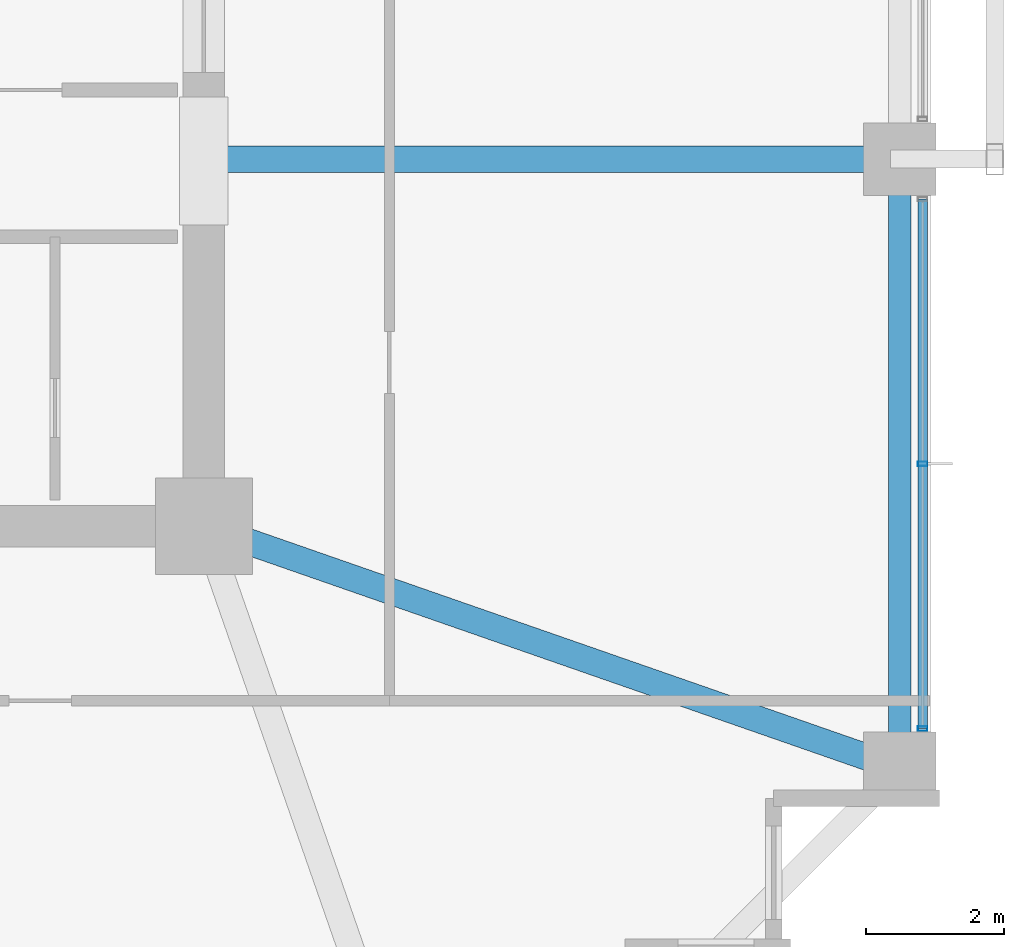
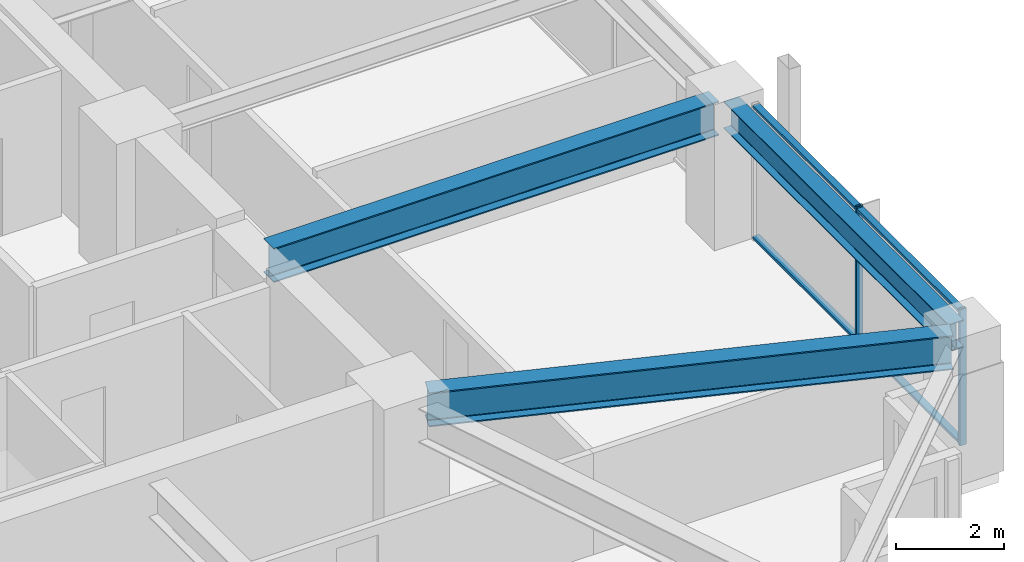
# One storey, part 14 of 38: 4 members, 3 beams, 1 element without a shape of its own.
"""IFC4 building model written with IfcOpenShell, lengths in metres."""

import ifcopenshell
import ifcopenshell.guid

model = None  # the IFC model being written
_history = None  # IfcOwnerHistory: only IFC2X3 demands one
_inside = {}  # id of a spatial element -> (the spatial element, [elements in it])
_under = {}  # id of a project, library or spatial element -> (it, [spatial elements below it])
_declared = {}  # id of a project -> (the project, [libraries it declares])
_typed = {}  # id of a type object -> (the type object, [elements of that type])
_made_of = {}  # id of a material, layer set ... -> (it, [elements and type objects made of it])


def new_model(schema):
    """Start an empty IFC model of exactly this schema.

    Asked for "IFC4X3", IfcOpenShell would pick the latest addendum, in which some entities
    have other attributes; the version numbers below select the first issue.
    IFC2X3 requires an IfcOwnerHistory on every rooted entity: one is made here for all.
    """
    global model, _history
    if schema == "IFC4X3":
        model = ifcopenshell.file(schema_version=(4, 3, 0, 0))
    else:
        model = ifcopenshell.file(schema=schema)
    _inside.clear()
    _under.clear()
    _declared.clear()
    _typed.clear()
    _made_of.clear()
    _history = None
    if model.schema == "IFC2X3":
        org = make("IfcOrganization", Name="unknown")
        user = make(
            "IfcPersonAndOrganization",
            ThePerson=make("IfcPerson", FamilyName="unknown"),
            TheOrganization=org,
        )
        app = make(
            "IfcApplication",
            ApplicationDeveloper=org,
            Version="unknown",
            ApplicationFullName="unknown",
            ApplicationIdentifier="unknown",
        )
        _history = make(
            "IfcOwnerHistory",
            OwningUser=user,
            OwningApplication=app,
            ChangeAction="ADDED",
            CreationDate=0,
        )
    return model


def make(cls, **values):
    """One entity of the class cls with the attributes given. An attribute that is None is left unset."""
    return model.create_entity(
        cls, **{name: value for name, value in values.items() if value is not None}
    )


def rooted(cls, **values):
    """An entity with a GlobalId (a new one), such as an element, a storey or a relation."""
    return make(cls, GlobalId=ifcopenshell.guid.new(), OwnerHistory=_history, **values)


def si_unit(unit_type, name, prefix=None):
    """IfcSIUnit, for example si_unit("LENGTHUNIT", "METRE", prefix="MILLI")."""
    return make("IfcSIUnit", UnitType=unit_type, Prefix=prefix, Name=name)


def assignment(units):
    """IfcUnitAssignment: the units of a project."""
    return None if units is None else make("IfcUnitAssignment", Units=units)


def point(xyz):
    """IfcCartesianPoint."""
    return None if xyz is None else make("IfcCartesianPoint", Coordinates=xyz)


def direction(xyz):
    """IfcDirection."""
    return None if xyz is None else make("IfcDirection", DirectionRatios=xyz)


def frame(location, z_axis=None, x_axis=None):
    """IfcAxis2Placement3D, a coordinate frame: its origin and axes. An axis left out is left unset."""
    return make(
        "IfcAxis2Placement3D",
        Location=point(location),
        Axis=direction(z_axis),
        RefDirection=direction(x_axis),
    )


def frame_2d(location, x_axis=None):
    """IfcAxis2Placement2D, a coordinate frame in the plane: its origin and x axis."""
    return make(
        "IfcAxis2Placement2D", Location=point(location), RefDirection=direction(x_axis)
    )


def origin():
    """The frame at (0, 0, 0) with its axes left unset."""
    return frame((0.0, 0.0, 0.0))


def origin_2d():
    """The frame at (0, 0) in the plane with its x axis left unset."""
    return frame_2d((0.0, 0.0))


def place(relative_to, where):
    """IfcLocalPlacement: puts the frame where relative to a parent placement (None: the world)."""
    return make(
        "IfcLocalPlacement", PlacementRelTo=relative_to, RelativePlacement=where
    )


def context(
    kind, dimensions, precision=None, world=None, true_north=None, identifier=None
):
    """IfcGeometricRepresentationContext, for example the 3D "Model" context."""
    return make(
        "IfcGeometricRepresentationContext",
        ContextIdentifier=identifier,
        ContextType=kind,
        CoordinateSpaceDimension=dimensions,
        Precision=precision,
        WorldCoordinateSystem=world,
        TrueNorth=true_north,
    )


def subcontext(parent, identifier, kind, view, scale=None):
    """IfcGeometricRepresentationSubContext, for example "Body" below "Model"."""
    return make(
        "IfcGeometricRepresentationSubContext",
        ContextIdentifier=identifier,
        ContextType=kind,
        ParentContext=parent,
        TargetScale=scale,
        TargetView=view,
    )


def project(units=None, contexts=None):
    """IfcProject with its units and contexts."""
    return rooted(
        "IfcProject",
        Name="project",
        RepresentationContexts=contexts,
        UnitsInContext=assignment(units),
    )


def spatial(cls, under=None, at=None, **own):
    """A site, building, storey or space (cls), placed at a placement, below another one or the project."""
    s = rooted(cls, ObjectPlacement=at, **own)
    if under is not None:
        _under.setdefault(under.id(), (under, []))[1].append(s)
    return s


def profile(cls, at=None, kind="AREA", **sizes):
    """A parametric profile (cls). Its sizes go by their IFC names, for example OverallWidth=200.0."""
    return make(cls, ProfileType=kind, Position=at, **sizes)


def hollow_rectangle(**sizes):
    """IfcRectangleHollowProfileDef."""
    return profile("IfcRectangleHollowProfileDef", **sizes)


def i_section(**sizes):
    """IfcIShapeProfileDef."""
    return profile("IfcIShapeProfileDef", **sizes)


def extrude(swept, where, along, depth):
    """IfcExtrudedAreaSolid: the profile swept, set in the frame where, extruded along a direction by depth."""
    return make(
        "IfcExtrudedAreaSolid",
        SweptArea=swept,
        Position=where,
        ExtrudedDirection=direction(along),
        Depth=depth,
    )


def shape(context_of_items, identifier, shape_type, items):
    """IfcShapeRepresentation: the items that make up one representation, for example the "Body"."""
    return make(
        "IfcShapeRepresentation",
        ContextOfItems=context_of_items,
        RepresentationIdentifier=identifier,
        RepresentationType=shape_type,
        Items=items,
    )


def material(Name=None, Category=None):
    """IfcMaterial."""
    return make("IfcMaterial", Name=Name, Category=Category)


def material_profile(
    of_material, cross_section, Name=None, Category=None, Priority=None
):
    """IfcMaterialProfile: a cross section and its material."""
    return make(
        "IfcMaterialProfile",
        Name=Name,
        Material=of_material,
        Profile=cross_section,
        Priority=Priority,
        Category=Category,
    )


def profile_set(profiles, Name=None, composite=None):
    """IfcMaterialProfileSet."""
    return make(
        "IfcMaterialProfileSet",
        Name=Name,
        MaterialProfiles=profiles,
        CompositeProfile=composite,
    )


def made_of(thing, what):
    """Note that an element or type object is made of a material, layer set ...; save() writes the relation."""
    if what is not None:
        _made_of.setdefault(what.id(), (what, []))[1].append(thing)
    return thing


def type_object(cls, material=None, **own):
    """A type object (cls), such as IfcWallType, which elements share."""
    return made_of(rooted(cls, **own), material)


def element(
    cls,
    number,
    at=None,
    inside=None,
    cuts=None,
    type_object=None,
    material=None,
    context=None,
    identifier="Body",
    shape_type=None,
    held_by="IfcProductDefinitionShape",
    body=None,
    shapes=None,
    **own,
):
    """One element of the class cls, such as IfcWall. Its Tag is "e" and its number.

    at: its placement. inside: the storey or other place that contains it. cuts: it is an
    opening in that element (IfcRelVoidsElement). A single representation is given by context,
    identifier, shape_type and body (its items); several are given by shapes. held_by: the class
    of the entity that holds the representations. save() writes the other relations.
    """
    e = rooted(cls, Tag="e%d" % number, ObjectPlacement=at, **own)
    if body is not None:
        shapes = [shape(context, identifier, shape_type, body)]
    if shapes is not None:
        e.Representation = make(held_by, Representations=shapes)
    if inside is not None:
        _inside.setdefault(inside.id(), (inside, []))[1].append(e)
    if cuts is not None:
        rooted(
            "IfcRelVoidsElement", RelatingBuildingElement=cuts, RelatedOpeningElement=e
        )
    if type_object is not None:
        _typed.setdefault(type_object.id(), (type_object, []))[1].append(e)
    return made_of(e, material)


def aggregate(whole, parts):
    """IfcRelAggregates: a whole, such as a stair, and the parts it consists of."""
    return rooted("IfcRelAggregates", RelatingObject=whole, RelatedObjects=parts)


def save(model, path):
    """Write the relations noted so far, then the file.

    IfcRelAggregates (storeys below a building ...), IfcRelContainedInSpatialStructure (elements
    in a storey), IfcRelDefinesByType, IfcRelAssociatesMaterial and IfcRelDeclares: one each for
    every whole, place, type object, material and project.
    """
    for whole, parts in _under.values():
        aggregate(whole, parts)
    for where, things in _inside.values():
        rooted(
            "IfcRelContainedInSpatialStructure",
            RelatedElements=things,
            RelatingStructure=where,
        )
    for kind, things in _typed.values():
        rooted("IfcRelDefinesByType", RelatedObjects=things, RelatingType=kind)
    for what, things in _made_of.values():
        rooted("IfcRelAssociatesMaterial", RelatedObjects=things, RelatingMaterial=what)
    for by, libraries in _declared.values():
        rooted("IfcRelDeclares", RelatingContext=by, RelatedDefinitions=libraries)
    model.write(path)


model = new_model("IFC4")

# Units and contexts
model_context = context("Model", 3, precision=1e-05, world=origin(), true_north=direction((0.0, 1.0)))
body_context = subcontext(model_context, "Body", "Model", "MODEL_VIEW")
ifc_project = project(units=[si_unit("LENGTHUNIT", "METRE"), si_unit("AREAUNIT", "SQUARE_METRE"), si_unit("VOLUMEUNIT", "CUBIC_METRE"), si_unit("PLANEANGLEUNIT", "RADIAN"), si_unit("MASSUNIT", "GRAM", prefix="KILO")], contexts=[model_context])

# Site, building, storey
site_placement = place(None, origin())
site = spatial("IfcSite", under=ifc_project, at=site_placement, CompositionType="ELEMENT")
building_placement = place(site_placement, origin())
building = spatial("IfcBuilding", under=site, at=building_placement, Name="Kolvaren Belvedere", CompositionType="ELEMENT")
storey_placement = place(building_placement, frame((0.0, 0.0, 72.199951171875)))
storey = spatial("IfcBuildingStorey", under=building, at=storey_placement, Name="L20", CompositionType="ELEMENT", Elevation=72.199951171875)

# Beams
ifc_material_1 = material(Name="Structural steel ASTM A992 Grade 50", Category="steel")
ifc_material_profile_1 = material_profile(ifc_material_1, i_section(OverallWidth=0.381103515625, OverallDepth=0.77294921875, WebThickness=0.0166015625, FlangeThickness=0.027099609375, FilletRadius=0.02392578125, at=origin_2d()), Name="W30X173")
ifc_profile_set_1 = profile_set([ifc_material_profile_1], Name="Structural steel ASTM A992 Grade 50")
beam_type_1 = type_object("IfcBeamType", Name="BM-GIRD-W30X173", PredefinedType="BEAM", material=ifc_profile_set_1)
beam_1_placement = place(storey_placement, frame((10.199951171875, -4.60009765625, 2.693603515625), z_axis=(1.0, 0.0, 0.0), x_axis=(0.0, 1.0, 0.0)))
element("IfcBeam", 1, at=beam_1_placement, inside=storey, type_object=beam_type_1, Name="L20 East Radial Girder M", PredefinedType="BEAM", context=body_context, shape_type="SweptSolid", body=[
    extrude(i_section(OverallWidth=0.381103515625, OverallDepth=0.77294921875, WebThickness=0.0166015625, FlangeThickness=0.027099609375, FilletRadius=0.02392578125, at=origin_2d()), origin(), (0.0, 0.0, 1.0), 9.513916015625),
])
beam_2_placement = place(storey_placement, frame((10.41943359375, -10.080810546875, 2.693603515625), z_axis=(0.944371408538, -0.328880894453, 0.0), x_axis=(0.328880894453, 0.944371408538, 0.0)))
element("IfcBeam", 2, at=beam_2_placement, inside=storey, type_object=beam_type_1, Name="L20 Corner Core-to-Perimeter Girder CC2-E1", PredefinedType="BEAM", context=body_context, shape_type="SweptSolid", body=[
    extrude(i_section(OverallWidth=0.381103515625, OverallDepth=0.77294921875, WebThickness=0.0166015625, FlangeThickness=0.027099609375, FilletRadius=0.02392578125, at=origin_2d()), origin(), (0.0, 0.0, 1.0), 9.882080078125),
])
ifc_material_2 = material(Name="Structural steel ASTM A992 Grade 50", Category="steel")
ifc_material_profile_2 = material_profile(ifc_material_2, i_section(OverallWidth=0.324951171875, OverallDepth=0.615966796875, WebThickness=0.013916015625, FlangeThickness=0.021484375, FilletRadius=0.02001953125, at=origin_2d()), Name="W24X117")
ifc_profile_set_2 = profile_set([ifc_material_profile_2], Name="Structural steel ASTM A992 Grade 50")
beam_type_2 = type_object("IfcBeamType", Name="BM-SPAN-W24X117", PredefinedType="SPANDREL", material=ifc_profile_set_2)
beam_3_placement = place(storey_placement, frame((19.949951171875, -13.163818359375, 2.77197265625), z_axis=(0.0, 1.0, 0.0), x_axis=(-1.0, 0.0, 0.0)))
element("IfcBeam", 3, at=beam_3_placement, inside=storey, type_object=beam_type_2, Name="L20 Perimeter Spandrel E1-E2", PredefinedType="SPANDREL", context=body_context, shape_type="SweptSolid", body=[
    extrude(i_section(OverallWidth=0.324951171875, OverallDepth=0.615966796875, WebThickness=0.013916015625, FlangeThickness=0.021484375, FilletRadius=0.02001953125, at=origin_2d()), origin(), (0.0, 0.0, 1.0), 8.32763671875),
])

# Curtain wall, members
ifc_material_3 = material(Name="Anodised pale-metal aluminium AA 6063-T6", Category="aluminium")
curtain_wall_type = type_object("IfcCurtainWallType", Name="CW-Z2-MID", PredefinedType="NOTDEFINED", material=ifc_material_3)
curtain_wall_placement = place(storey_placement, origin())
curtain_wall = element("IfcCurtainWall", 4, at=curtain_wall_placement, inside=storey, type_object=curtain_wall_type, Name="L20 Unitised Curtain Wall FCW-L20-E-B3", PredefinedType="NOTDEFINED")
ifc_material_4 = material(Name="Anodised pale-metal aluminium AA 6063-T6", Category="aluminium")
ifc_material_profile_3 = material_profile(ifc_material_4, hollow_rectangle(XDim=0.06494140625, YDim=0.139892578125, WallThickness=0.00390625, at=origin_2d()), Name="ALU-MUL-140X65")
ifc_profile_set_3 = profile_set([ifc_material_profile_3], Name="Anodised pale-metal aluminium AA 6063-T6")
member_type_1 = type_object("IfcMemberType", Name="CW-MUL-140", PredefinedType="MULLION", material=ifc_profile_set_3)
member_1_placement = place(storey_placement, frame((20.280029296875, -9.0, 0.0), z_axis=(0.0, 0.0, 1.0), x_axis=(0.0, 1.0, 0.0)))
member_1 = element("IfcMember", 5, at=member_1_placement, type_object=member_type_1, Name="FCW-L20-E-B3 Unitised Mullion 2", PredefinedType="MULLION", context=body_context, shape_type="SweptSolid", body=[
    extrude(hollow_rectangle(XDim=0.06494140625, YDim=0.139892578125, WallThickness=0.00390625, at=origin_2d()), origin(), (0.0, 0.0, 1.0), 3.080078125),
])
member_2_placement = place(storey_placement, frame((20.280029296875, -12.822509765625, 0.0), z_axis=(0.0, 0.0, 1.0), x_axis=(0.0, 1.0, 0.0)))
member_2 = element("IfcMember", 6, at=member_2_placement, type_object=member_type_1, Name="FCW-L20-E-B3 Unitised Mullion 3", PredefinedType="MULLION", context=body_context, shape_type="SweptSolid", body=[
    extrude(hollow_rectangle(XDim=0.06494140625, YDim=0.139892578125, WallThickness=0.00390625, at=origin_2d()), origin(), (0.0, 0.0, 1.0), 3.080078125),
])
ifc_material_5 = material(Name="Anodised pale-metal aluminium AA 6063-T6", Category="aluminium")
ifc_material_profile_4 = material_profile(ifc_material_5, hollow_rectangle(XDim=0.06005859375, YDim=0.139892578125, WallThickness=0.00390625, at=origin_2d()), Name="ALU-TRN-140X60")
ifc_profile_set_4 = profile_set([ifc_material_profile_4], Name="Anodised pale-metal aluminium AA 6063-T6")
member_type_2 = type_object("IfcMemberType", Name="CW-TRN-140", PredefinedType="USERDEFINED", material=ifc_profile_set_4)
member_3_placement = place(storey_placement, frame((20.280029296875, -5.177490234375, 0.06005859375), z_axis=(0.0, -1.0, 0.0), x_axis=(0.0, 0.0, 1.0)))
member_3 = element("IfcMember", 7, at=member_3_placement, type_object=member_type_2, Name="FCW-L20-E-B3 Sill Transom", ObjectType="TRANSOM", PredefinedType="USERDEFINED", context=body_context, shape_type="SweptSolid", body=[
    extrude(hollow_rectangle(XDim=0.06005859375, YDim=0.139892578125, WallThickness=0.00390625, at=origin_2d()), origin(), (0.0, 0.0, 1.0), 7.64501953125),
])
member_4_placement = place(storey_placement, frame((20.280029296875, -5.177490234375, 3.02001953125), z_axis=(0.0, -1.0, 0.0), x_axis=(0.0, 0.0, 1.0)))
member_4 = element("IfcMember", 8, at=member_4_placement, type_object=member_type_2, Name="FCW-L20-E-B3 Head Transom", ObjectType="TRANSOM", PredefinedType="USERDEFINED", context=body_context, shape_type="SweptSolid", body=[
    extrude(hollow_rectangle(XDim=0.06005859375, YDim=0.139892578125, WallThickness=0.00390625, at=origin_2d()), origin(), (0.0, 0.0, 1.0), 7.64501953125),
])
aggregate(curtain_wall, [member_1, member_2, member_3, member_4])

save(model, "model.ifc")
